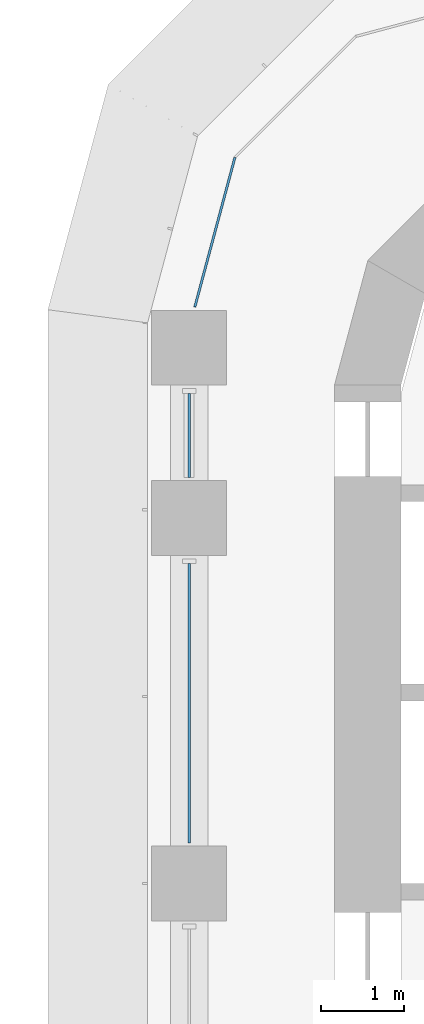
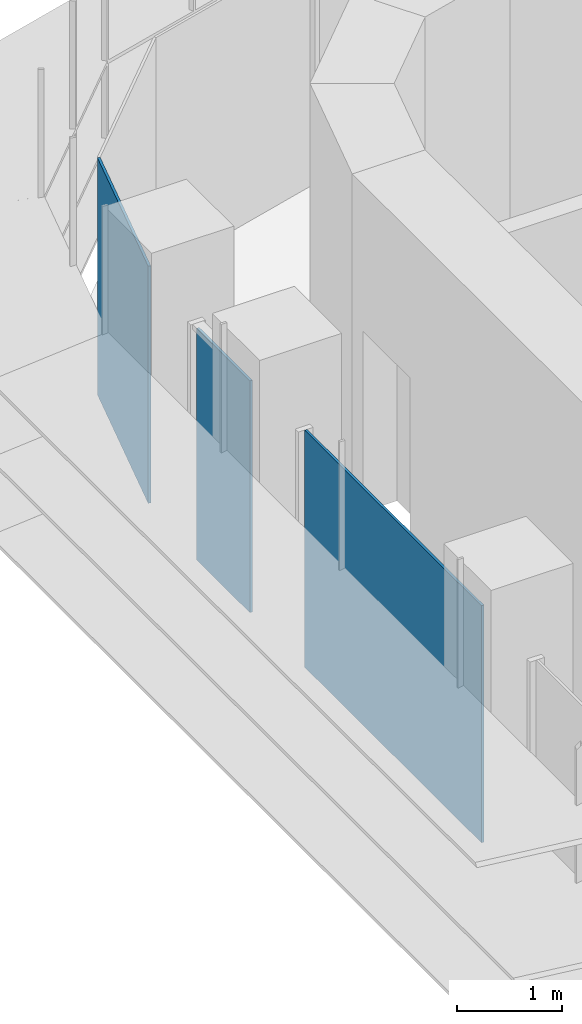
# One storey, part 13 of 21: 3 plates, 2 elements without a shape of their own.
"""IFC4 building model written with IfcOpenShell, lengths in metres."""

from ifc_helpers import new_model, si_unit, direction, frame, origin, place, context, subcontext, project, spatial, polyline, outline, extrude, source, transform, mapped, material, layer, layer_set, type_object, element, aggregate, save


model = new_model("IFC4")

# Units and contexts
model_context = context("Model", 3, precision=1e-05, world=origin(), true_north=direction((0.0, 1.0)))
body_context = subcontext(model_context, "Body", "Model", "MODEL_VIEW")
ifc_project = project(units=[si_unit("LENGTHUNIT", "METRE"), si_unit("AREAUNIT", "SQUARE_METRE"), si_unit("VOLUMEUNIT", "CUBIC_METRE"), si_unit("PLANEANGLEUNIT", "RADIAN"), si_unit("MASSUNIT", "GRAM", prefix="KILO")], contexts=[model_context])

# Site, building, storey
site_placement = place(None, origin())
site = spatial("IfcSite", under=ifc_project, at=site_placement, CompositionType="ELEMENT")
building_placement = place(site_placement, origin())
building = spatial("IfcBuilding", under=site, at=building_placement, Name="Zarbagh Exchange Tower", CompositionType="ELEMENT")
storey_placement = place(building_placement, frame((0.0, 0.0, 117.0)))
storey = spatial("IfcBuildingStorey", under=building, at=storey_placement, Name="L27", CompositionType="ELEMENT", Elevation=117.0)

# Curtain wall, plate
ifc_material_1 = material(Name="Anodised aluminium frame and glazing", Category="aluminium")
curtain_wall_type = type_object("IfcCurtainWallType", Name="CWA Ribbon glazing, lower zones", PredefinedType="NOTDEFINED", material=ifc_material_1)
curtain_wall_1_placement = place(storey_placement, origin())
curtain_wall_1 = element("IfcCurtainWall", 1, at=curtain_wall_1_placement, inside=storey, type_object=curtain_wall_type, Name="CWA56 curtain wall", PredefinedType="NOTDEFINED")
ifc_material_2 = material(Name="Low-e double glazed unit, 6+12+6 mm")
ifc_layer = layer(ifc_material_2, 0.028076171875)
ifc_layer_set = layer_set([ifc_layer], Name="PAA Glazing panel, Low-e double glazed unit, 6+12+6 mm")
plate_type = type_object("IfcPlateType", Name="PAA Glazing panel, Low-e double glazed unit, 6+12+6 mm", PredefinedType="CURTAIN_PANEL", material=ifc_layer_set)
shared_shape_1 = source(origin(), body_context, "Body", "SweptSolid", [
    extrude(outline(polyline([(0.0, -0.013916015625), (3.360107421875, -0.013916015625), (3.360107421875, 0.013916015625), (0.0, 0.013916015625), (0.0, -0.013916015625)])), origin(), (0.0, 0.0, 1.0), 2.75),
])
placement = place(storey_placement, origin())
plate_1 = element("IfcPlate", 2, at=placement, type_object=plate_type, Name="CWA56 glazing panel 2.1", PredefinedType="CURTAIN_PANEL", context=body_context, shape_type="MappedRepresentation", body=[
    mapped(shared_shape_1, transform((-6.25, 24.099853515625, 0.0), x_axis=(0.0, -1.0, 0.0), y_axis=(1.0, 0.0, 0.0), z_axis=(0.0, 0.0, 1.0))),
])

curtain_wall_2_placement = place(storey_placement, origin())
curtain_wall_2 = element("IfcCurtainWall", 3, at=curtain_wall_2_placement, inside=storey, type_object=curtain_wall_type, Name="CWA55 curtain wall", PredefinedType="NOTDEFINED")
shared_shape_2 = source(origin(), body_context, "Body", "SweptSolid", [
    extrude(outline(polyline([(0.0, -0.013916015625), (1.86474609375, -0.013916015625), (1.86474609375, 0.013916015625), (0.0, 0.013916015625), (0.0, -0.013916015625)])), origin(), (0.0, 0.0, 1.0), 2.75),
])
plate_2 = element("IfcPlate", 4, at=placement, type_object=plate_type, Name="CWA55 glazing panel 1.1", PredefinedType="CURTAIN_PANEL", context=body_context, shape_type="MappedRepresentation", body=[
    mapped(shared_shape_2, transform((-5.69873046875, 28.9912109375, 0.0), x_axis=(-0.258824779902, -0.965924289636, 0.0), y_axis=(0.965924289636, -0.258824779902, 0.0), z_axis=(0.0, 0.0, 1.0))),
])
aggregate(curtain_wall_2, [plate_2])

# Plate
shared_shape_3 = source(origin(), body_context, "Body", "SweptSolid", [
    extrude(outline(polyline([(0.0, -0.013916015625), (1.010009765625, -0.013916015625), (1.010009765625, 0.013916015625), (0.0, 0.013916015625), (0.0, -0.013916015625)])), origin(), (0.0, 0.0, 1.0), 2.68994140625),
])
plate_3 = element("IfcPlate", 5, at=placement, type_object=plate_type, Name="CWA56 glazing panel 1.1", PredefinedType="CURTAIN_PANEL", context=body_context, shape_type="MappedRepresentation", body=[
    mapped(shared_shape_3, transform((-6.25, 26.14990234375, 0.0), x_axis=(0.0, -1.0, 0.0), y_axis=(1.0, 0.0, 0.0), z_axis=(0.0, 0.0, 1.0))),
])

aggregate(curtain_wall_1, [plate_3, plate_1])

save(model, "model.ifc")
